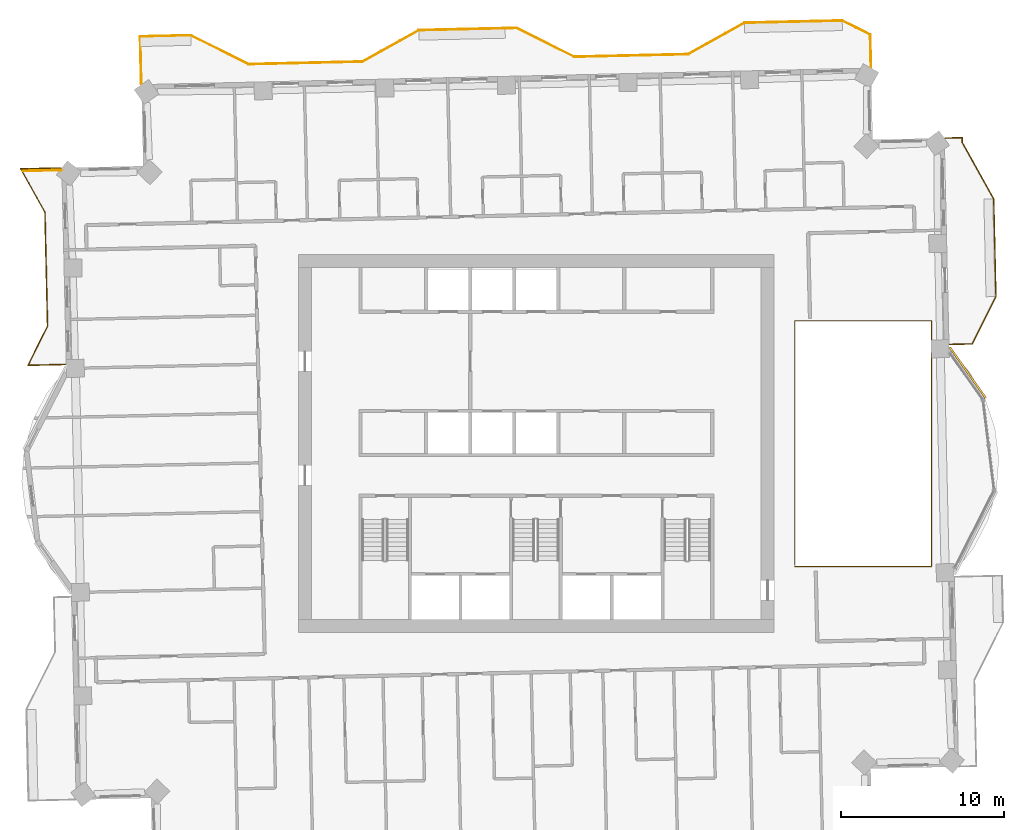
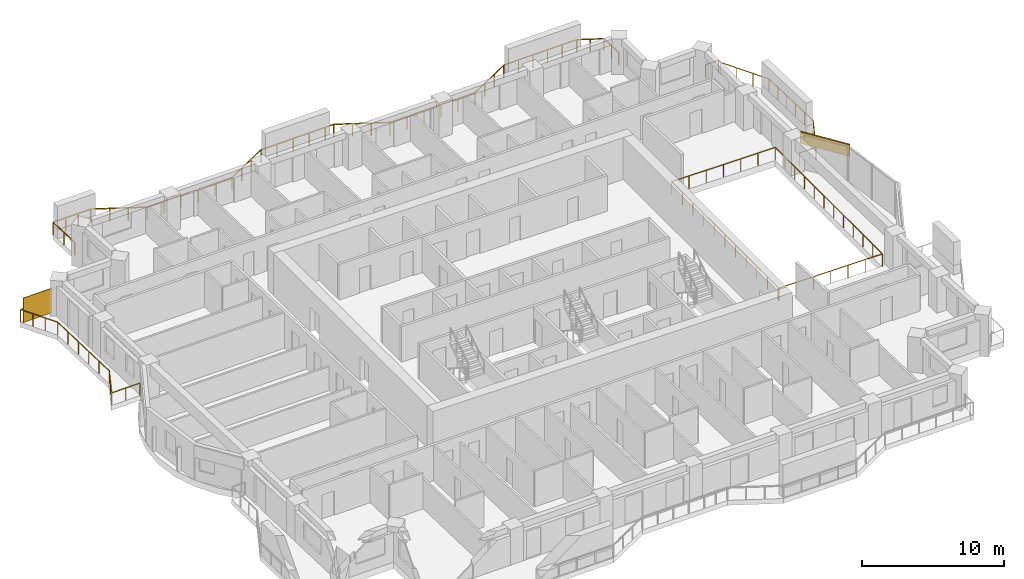
# One storey, part 16 of 16: 4 railings, 1 covering, 1 shading device.
"""IFC4 building model written with IfcOpenShell, lengths in metres."""

from ifc_helpers import new_model, si_unit, direction, frame, frame_2d, origin, origin_2d, place, context, subcontext, project, spatial, rectangle, extrude, material, layer, layer_set, type_object, element, save


model = new_model("IFC4")

# Units and contexts
model_context = context("Model", 3, precision=1e-05, world=origin(), true_north=direction((0.0, 1.0)))
body_context = subcontext(model_context, "Body", "Model", "MODEL_VIEW")
ifc_project = project(units=[si_unit("LENGTHUNIT", "METRE"), si_unit("AREAUNIT", "SQUARE_METRE"), si_unit("VOLUMEUNIT", "CUBIC_METRE"), si_unit("PLANEANGLEUNIT", "RADIAN"), si_unit("MASSUNIT", "GRAM", prefix="KILO")], contexts=[model_context])

# Site, building, storey
site_placement = place(None, origin())
site = spatial("IfcSite", under=ifc_project, at=site_placement, CompositionType="ELEMENT")
building_placement = place(site_placement, origin())
building = spatial("IfcBuilding", under=site, at=building_placement, Name="Mangrove Gate Tower", CompositionType="ELEMENT")
storey_placement = place(building_placement, frame((0.0, 0.0, 231.10009765625)))
storey = spatial("IfcBuildingStorey", under=building, at=storey_placement, Name="L58", CompositionType="ELEMENT", Elevation=231.10009765625)

# Railings
ifc_material_1 = material(Name="Stainless steel grade 316 with laminated glass infill", Category="steel")
railing_type = type_object("IfcRailingType", Name="Balcony guard 1100", PredefinedType="GUARDRAIL", material=ifc_material_1)
railing_1_placement = place(storey_placement, frame((25.375, 6.089111328125, 0.0)))
element("IfcRailing", 1, at=railing_1_placement, inside=storey, type_object=railing_type, Name="GUARD L58 E2", PredefinedType="GUARDRAIL", context=body_context, shape_type="SweptSolid", body=[
    extrude(rectangle(XDim=0.048095703125, YDim=0.048095703125, at=origin_2d()), frame((0.0, 0.0, 1.076171875), z_axis=(0.999735822648, 0.022984449415, 0.0), x_axis=(-0.022984449415, 0.999735822648, 0.0)), (0.0, 0.0, 1.0), 1.3916015625),
    extrude(rectangle(XDim=0.048095703125, YDim=0.048095703125, at=origin_2d()), frame((1.39111328125, 0.031982421875, 1.076171875), z_axis=(0.446943201093, 0.894562337122, 0.0), x_axis=(-0.894562337122, 0.446943201093, 0.0)), (0.0, 0.0, 1.0), 3.250732421875),
    extrude(rectangle(XDim=0.048095703125, YDim=0.048095703125, at=origin_2d()), frame((2.843994140625, 2.93994140625, 1.076171875), z_axis=(-0.022662255828, 0.999743178102, 0.0), x_axis=(-0.999743178102, -0.022662255828, 0.0)), (0.0, 0.0, 1.0), 6.00048828125),
    extrude(rectangle(XDim=0.048095703125, YDim=0.048095703125, at=origin_2d()), frame((2.7080078125, 8.93896484375, 1.076171875), z_axis=(-0.48726008209, 0.87325689943, 0.0), x_axis=(-0.87325689943, -0.48726008209, 0.0)), (0.0, 0.0, 1.0), 3.958740234375),
    extrude(rectangle(XDim=0.048095703125, YDim=0.048095703125, at=origin_2d()), frame((0.779052734375, 12.39599609375, 1.076171875), z_axis=(-0.020354088642, 0.999792834079, 0.0), x_axis=(-0.999792834079, -0.020354088642, 0.0)), (0.0, 0.0, 1.0), 0.2998046875),
    extrude(rectangle(XDim=0.048095703125, YDim=0.048095703125, at=origin_2d()), frame((0.77294921875, 12.69580078125, 1.076171875), z_axis=(-0.999745389313, -0.022564497502, 0.0), x_axis=(0.022564497502, -0.999745389313, 0.0)), (0.0, 0.0, 1.0), 1.060302734375),
    extrude(rectangle(XDim=0.0419921875, YDim=0.0419921875, at=origin_2d()), origin(), (0.0, 0.0, 1.0), 1.052001953125),
    extrude(rectangle(XDim=0.0419921875, YDim=0.0419921875, at=origin_2d()), frame((1.39111328125, 0.031982421875, 0.0)), (0.0, 0.0, 1.0), 1.052001953125),
    extrude(rectangle(XDim=0.0419921875, YDim=0.0419921875, at=origin_2d()), frame((1.87548828125, 1.001220703125, 0.0)), (0.0, 0.0, 1.0), 1.052001953125),
    extrude(rectangle(XDim=0.0419921875, YDim=0.0419921875, at=origin_2d()), frame((2.359619140625, 1.970703125, 0.0)), (0.0, 0.0, 1.0), 1.052001953125),
    extrude(rectangle(XDim=0.0419921875, YDim=0.0419921875, at=origin_2d()), frame((2.843994140625, 2.93994140625, 0.0)), (0.0, 0.0, 1.0), 1.052001953125),
    extrude(rectangle(XDim=0.0419921875, YDim=0.0419921875, at=origin_2d()), frame((2.81689453125, 4.1396484375, 0.0)), (0.0, 0.0, 1.0), 1.052001953125),
    extrude(rectangle(XDim=0.0419921875, YDim=0.0419921875, at=origin_2d()), frame((2.78955078125, 5.339599609375, 0.0)), (0.0, 0.0, 1.0), 1.052001953125),
    extrude(rectangle(XDim=0.0419921875, YDim=0.0419921875, at=origin_2d()), frame((2.762451171875, 6.539306640625, 0.0)), (0.0, 0.0, 1.0), 1.052001953125),
    extrude(rectangle(XDim=0.0419921875, YDim=0.0419921875, at=origin_2d()), frame((2.735107421875, 7.7392578125, 0.0)), (0.0, 0.0, 1.0), 1.052001953125),
    extrude(rectangle(XDim=0.0419921875, YDim=0.0419921875, at=origin_2d()), frame((2.7080078125, 8.93896484375, 0.0)), (0.0, 0.0, 1.0), 1.052001953125),
    extrude(rectangle(XDim=0.0419921875, YDim=0.0419921875, at=origin_2d()), frame((2.06494140625, 10.09130859375, 0.0)), (0.0, 0.0, 1.0), 1.052001953125),
    extrude(rectangle(XDim=0.0419921875, YDim=0.0419921875, at=origin_2d()), frame((1.422119140625, 11.24365234375, 0.0)), (0.0, 0.0, 1.0), 1.052001953125),
    extrude(rectangle(XDim=0.0419921875, YDim=0.0419921875, at=origin_2d()), frame((0.779052734375, 12.39599609375, 0.0)), (0.0, 0.0, 1.0), 1.052001953125),
    extrude(rectangle(XDim=0.0419921875, YDim=0.0419921875, at=origin_2d()), frame((0.77294921875, 12.69580078125, 0.0)), (0.0, 0.0, 1.0), 1.052001953125),
    extrude(rectangle(XDim=0.0419921875, YDim=0.0419921875, at=origin_2d()), frame((-0.287109375, 12.671875, 0.0)), (0.0, 0.0, 1.0), 1.052001953125),
])
railing_2_placement = place(storey_placement, frame((20.548095703125, 23.09912109375, 0.0)))
element("IfcRailing", 2, at=railing_2_placement, inside=storey, type_object=railing_type, Name="GUARD L58 N1", PredefinedType="GUARDRAIL", context=body_context, shape_type="SweptSolid", body=[
    extrude(rectangle(XDim=0.048095703125, YDim=0.048095703125, at=origin_2d()), frame((0.0, 0.0, 1.076171875), z_axis=(-0.022478519123, 0.999747326167, 0.0), x_axis=(-0.999747326167, -0.022478519123, 0.0)), (0.0, 0.0, 1.0), 2.00927734375),
    extrude(rectangle(XDim=0.048095703125, YDim=0.048095703125, at=origin_2d()), frame((-0.045166015625, 2.0087890625, 1.076171875), z_axis=(-0.89460449585, 0.446858809922, 0.0), x_axis=(-0.446858809922, -0.89460449585, 0.0)), (0.0, 0.0, 1.0), 1.927001953125),
    extrude(rectangle(XDim=0.048095703125, YDim=0.048095703125, at=origin_2d()), frame((-1.76904296875, 2.869873046875, 1.076171875), z_axis=(-0.999743178102, -0.022662255828, 0.0), x_axis=(0.022662255828, -0.999743178102, 0.0)), (0.0, 0.0, 1.0), 6.00048828125),
    extrude(rectangle(XDim=0.048095703125, YDim=0.048095703125, at=origin_2d()), frame((-7.76806640625, 2.73388671875, 1.076171875), z_axis=(-0.87325689943, -0.48726008209, 0.0), x_axis=(0.48726008209, -0.87325689943, 0.0)), (0.0, 0.0, 1.0), 3.958740234375),
    extrude(rectangle(XDim=0.048095703125, YDim=0.048095703125, at=origin_2d()), frame((-11.22509765625, 0.804931640625, 1.076171875), z_axis=(-0.999745352708, -0.022566119286, 0.0), x_axis=(0.022566119286, -0.999745352708, 0.0)), (0.0, 0.0, 1.0), 6.999755859375),
    extrude(rectangle(XDim=0.048095703125, YDim=0.048095703125, at=origin_2d()), frame((-18.22314453125, 0.64697265625, 1.076171875), z_axis=(-0.894476522376, 0.447114919141, 0.0), x_axis=(-0.447114919141, -0.894476522376, 0.0)), (0.0, 0.0, 1.0), 3.958740234375),
    extrude(rectangle(XDim=0.048095703125, YDim=0.048095703125, at=origin_2d()), frame((-21.76416015625, 2.4169921875, 1.076171875), z_axis=(-0.999735131741, -0.023014481582, 0.0), x_axis=(0.023014481582, -0.999735131741, 0.0)), (0.0, 0.0, 1.0), 0.7001953125),
    extrude(rectangle(XDim=0.048095703125, YDim=0.048095703125, at=origin_2d()), frame((-22.464111328125, 2.40087890625, 1.076171875), z_axis=(-0.999743189186, -0.022661766832, 0.0), x_axis=(0.022661766832, -0.999743189186, 0.0)), (0.0, 0.0, 1.0), 5.300537109375),
    extrude(rectangle(XDim=0.048095703125, YDim=0.048095703125, at=origin_2d()), frame((-27.76318359375, 2.28076171875, 1.076171875), z_axis=(-0.87325689943, -0.48726008209, 0.0), x_axis=(0.48726008209, -0.87325689943, 0.0)), (0.0, 0.0, 1.0), 3.958740234375),
    extrude(rectangle(XDim=0.048095703125, YDim=0.048095703125, at=origin_2d()), frame((-31.22021484375, 0.351806640625, 1.076171875), z_axis=(-0.999742177561, -0.022706351659, 0.0), x_axis=(0.022706351659, -0.999742177561, 0.0)), (0.0, 0.0, 1.0), 6.99951171875),
    extrude(rectangle(XDim=0.048095703125, YDim=0.048095703125, at=origin_2d()), frame((-38.218017578125, 0.19287109375, 1.076171875), z_axis=(-0.894476522376, 0.447114919141, 0.0), x_axis=(-0.447114919141, -0.894476522376, 0.0)), (0.0, 0.0, 1.0), 3.958740234375),
    extrude(rectangle(XDim=0.048095703125, YDim=0.048095703125, at=origin_2d()), frame((-41.759033203125, 1.962890625, 1.076171875), z_axis=(-0.999745154684, -0.02257489059, 0.0), x_axis=(0.02257489059, -0.999745154684, 0.0)), (0.0, 0.0, 1.0), 3.103759765625),
    extrude(rectangle(XDim=0.048095703125, YDim=0.048095703125, at=origin_2d()), frame((-44.862060546875, 1.892822265625, 1.076171875), z_axis=(0.022647097142, -0.999743521605, 0.0), x_axis=(0.999743521605, 0.022647097142, 0.0)), (0.0, 0.0, 1.0), 2.91064453125),
    extrude(rectangle(XDim=0.0419921875, YDim=0.0419921875, at=origin_2d()), origin(), (0.0, 0.0, 1.0), 1.052001953125),
    extrude(rectangle(XDim=0.0419921875, YDim=0.0419921875, at=origin_2d()), frame((-0.0224609375, 1.00439453125, 0.0)), (0.0, 0.0, 1.0), 1.052001953125),
    extrude(rectangle(XDim=0.0419921875, YDim=0.0419921875, at=origin_2d()), frame((-0.045166015625, 2.0087890625, 0.0)), (0.0, 0.0, 1.0), 1.052001953125),
    extrude(rectangle(XDim=0.0419921875, YDim=0.0419921875, at=origin_2d()), frame((-0.9072265625, 2.439453125, 0.0)), (0.0, 0.0, 1.0), 1.052001953125),
    extrude(rectangle(XDim=0.0419921875, YDim=0.0419921875, at=origin_2d()), frame((-1.76904296875, 2.869873046875, 0.0)), (0.0, 0.0, 1.0), 1.052001953125),
    extrude(rectangle(XDim=0.0419921875, YDim=0.0419921875, at=origin_2d()), frame((-2.96875, 2.8427734375, 0.0)), (0.0, 0.0, 1.0), 1.052001953125),
    extrude(rectangle(XDim=0.0419921875, YDim=0.0419921875, at=origin_2d()), frame((-4.168701171875, 2.8154296875, 0.0)), (0.0, 0.0, 1.0), 1.052001953125),
    extrude(rectangle(XDim=0.0419921875, YDim=0.0419921875, at=origin_2d()), frame((-5.368408203125, 2.788330078125, 0.0)), (0.0, 0.0, 1.0), 1.052001953125),
    extrude(rectangle(XDim=0.0419921875, YDim=0.0419921875, at=origin_2d()), frame((-6.568359375, 2.760986328125, 0.0)), (0.0, 0.0, 1.0), 1.052001953125),
    extrude(rectangle(XDim=0.0419921875, YDim=0.0419921875, at=origin_2d()), frame((-7.76806640625, 2.73388671875, 0.0)), (0.0, 0.0, 1.0), 1.052001953125),
    extrude(rectangle(XDim=0.0419921875, YDim=0.0419921875, at=origin_2d()), frame((-8.92041015625, 2.0908203125, 0.0)), (0.0, 0.0, 1.0), 1.052001953125),
    extrude(rectangle(XDim=0.0419921875, YDim=0.0419921875, at=origin_2d()), frame((-10.07275390625, 1.447998046875, 0.0)), (0.0, 0.0, 1.0), 1.052001953125),
    extrude(rectangle(XDim=0.0419921875, YDim=0.0419921875, at=origin_2d()), frame((-11.22509765625, 0.804931640625, 0.0)), (0.0, 0.0, 1.0), 1.052001953125),
    extrude(rectangle(XDim=0.0419921875, YDim=0.0419921875, at=origin_2d()), frame((-12.624755859375, 0.7734375, 0.0)), (0.0, 0.0, 1.0), 1.052001953125),
    extrude(rectangle(XDim=0.0419921875, YDim=0.0419921875, at=origin_2d()), frame((-14.0244140625, 0.74169921875, 0.0)), (0.0, 0.0, 1.0), 1.052001953125),
    extrude(rectangle(XDim=0.0419921875, YDim=0.0419921875, at=origin_2d()), frame((-15.423828125, 0.710205078125, 0.0)), (0.0, 0.0, 1.0), 1.052001953125),
    extrude(rectangle(XDim=0.0419921875, YDim=0.0419921875, at=origin_2d()), frame((-16.823486328125, 0.678466796875, 0.0)), (0.0, 0.0, 1.0), 1.052001953125),
    extrude(rectangle(XDim=0.0419921875, YDim=0.0419921875, at=origin_2d()), frame((-18.22314453125, 0.64697265625, 0.0)), (0.0, 0.0, 1.0), 1.052001953125),
    extrude(rectangle(XDim=0.0419921875, YDim=0.0419921875, at=origin_2d()), frame((-19.403564453125, 1.237060546875, 0.0)), (0.0, 0.0, 1.0), 1.052001953125),
    extrude(rectangle(XDim=0.0419921875, YDim=0.0419921875, at=origin_2d()), frame((-20.583740234375, 1.826904296875, 0.0)), (0.0, 0.0, 1.0), 1.052001953125),
    extrude(rectangle(XDim=0.0419921875, YDim=0.0419921875, at=origin_2d()), frame((-21.76416015625, 2.4169921875, 0.0)), (0.0, 0.0, 1.0), 1.052001953125),
    extrude(rectangle(XDim=0.0419921875, YDim=0.0419921875, at=origin_2d()), frame((-22.464111328125, 2.40087890625, 0.0)), (0.0, 0.0, 1.0), 1.052001953125),
    extrude(rectangle(XDim=0.0419921875, YDim=0.0419921875, at=origin_2d()), frame((-23.788818359375, 2.370849609375, 0.0)), (0.0, 0.0, 1.0), 1.052001953125),
    extrude(rectangle(XDim=0.0419921875, YDim=0.0419921875, at=origin_2d()), frame((-25.11376953125, 2.3408203125, 0.0)), (0.0, 0.0, 1.0), 1.052001953125),
    extrude(rectangle(XDim=0.0419921875, YDim=0.0419921875, at=origin_2d()), frame((-26.4384765625, 2.310791015625, 0.0)), (0.0, 0.0, 1.0), 1.052001953125),
    extrude(rectangle(XDim=0.0419921875, YDim=0.0419921875, at=origin_2d()), frame((-27.76318359375, 2.28076171875, 0.0)), (0.0, 0.0, 1.0), 1.052001953125),
    extrude(rectangle(XDim=0.0419921875, YDim=0.0419921875, at=origin_2d()), frame((-28.91552734375, 1.6376953125, 0.0)), (0.0, 0.0, 1.0), 1.052001953125),
    extrude(rectangle(XDim=0.0419921875, YDim=0.0419921875, at=origin_2d()), frame((-30.06787109375, 0.994873046875, 0.0)), (0.0, 0.0, 1.0), 1.052001953125),
    extrude(rectangle(XDim=0.0419921875, YDim=0.0419921875, at=origin_2d()), frame((-31.22021484375, 0.351806640625, 0.0)), (0.0, 0.0, 1.0), 1.052001953125),
    extrude(rectangle(XDim=0.0419921875, YDim=0.0419921875, at=origin_2d()), frame((-32.619873046875, 0.320068359375, 0.0)), (0.0, 0.0, 1.0), 1.052001953125),
    extrude(rectangle(XDim=0.0419921875, YDim=0.0419921875, at=origin_2d()), frame((-34.019287109375, 0.288330078125, 0.0)), (0.0, 0.0, 1.0), 1.052001953125),
    extrude(rectangle(XDim=0.0419921875, YDim=0.0419921875, at=origin_2d()), frame((-35.4189453125, 0.25634765625, 0.0)), (0.0, 0.0, 1.0), 1.052001953125),
    extrude(rectangle(XDim=0.0419921875, YDim=0.0419921875, at=origin_2d()), frame((-36.818359375, 0.224609375, 0.0)), (0.0, 0.0, 1.0), 1.052001953125),
    extrude(rectangle(XDim=0.0419921875, YDim=0.0419921875, at=origin_2d()), frame((-38.218017578125, 0.19287109375, 0.0)), (0.0, 0.0, 1.0), 1.052001953125),
    extrude(rectangle(XDim=0.0419921875, YDim=0.0419921875, at=origin_2d()), frame((-39.3984375, 0.782958984375, 0.0)), (0.0, 0.0, 1.0), 1.052001953125),
    extrude(rectangle(XDim=0.0419921875, YDim=0.0419921875, at=origin_2d()), frame((-40.57861328125, 1.372802734375, 0.0)), (0.0, 0.0, 1.0), 1.052001953125),
    extrude(rectangle(XDim=0.0419921875, YDim=0.0419921875, at=origin_2d()), frame((-41.759033203125, 1.962890625, 0.0)), (0.0, 0.0, 1.0), 1.052001953125),
    extrude(rectangle(XDim=0.0419921875, YDim=0.0419921875, at=origin_2d()), frame((-42.79345703125, 1.939453125, 0.0)), (0.0, 0.0, 1.0), 1.052001953125),
    extrude(rectangle(XDim=0.0419921875, YDim=0.0419921875, at=origin_2d()), frame((-43.82763671875, 1.916259765625, 0.0)), (0.0, 0.0, 1.0), 1.052001953125),
    extrude(rectangle(XDim=0.0419921875, YDim=0.0419921875, at=origin_2d()), frame((-44.862060546875, 1.892822265625, 0.0)), (0.0, 0.0, 1.0), 1.052001953125),
    extrude(rectangle(XDim=0.0419921875, YDim=0.0419921875, at=origin_2d()), frame((-44.8291015625, 0.43798828125, 0.0)), (0.0, 0.0, 1.0), 1.052001953125),
    extrude(rectangle(XDim=0.0419921875, YDim=0.0419921875, at=origin_2d()), frame((-44.796142578125, -1.01708984375, 0.0)), (0.0, 0.0, 1.0), 1.052001953125),
])
railing_3_placement = place(storey_placement, frame((-29.173095703125, 16.928955078125, 0.0)))
element("IfcRailing", 3, at=railing_3_placement, inside=storey, type_object=railing_type, Name="GUARD L58 W1", PredefinedType="GUARDRAIL", context=body_context, shape_type="SweptSolid", body=[
    extrude(rectangle(XDim=0.048095703125, YDim=0.048095703125, at=origin_2d()), frame((0.0, 0.0, 1.076171875), z_axis=(-0.999747180794, -0.022484983736, 0.0), x_axis=(0.022484983736, -0.999747180794, 0.0)), (0.0, 0.0, 1.0), 2.486572265625),
    extrude(rectangle(XDim=0.048095703125, YDim=0.048095703125, at=origin_2d()), frame((-2.48583984375, -0.055908203125, 1.076171875), z_axis=(0.487237161346, -0.873269688357, 0.0), x_axis=(0.873269688357, 0.487237161346, 0.0)), (0.0, 0.0, 1.0), 3.053955078125),
    extrude(rectangle(XDim=0.048095703125, YDim=0.048095703125, at=origin_2d()), frame((-0.997802734375, -2.722900390625, 1.076171875), z_axis=(0.022705559911, -0.999742195543, 0.0), x_axis=(0.999742195543, 0.022705559911, 0.0)), (0.0, 0.0, 1.0), 6.999755859375),
    extrude(rectangle(XDim=0.048095703125, YDim=0.048095703125, at=origin_2d()), frame((-0.8388671875, -9.720947265625, 1.076171875), z_axis=(-0.447031829068, -0.894518051132, 0.0), x_axis=(0.894518051132, -0.447031829068, 0.0)), (0.0, 0.0, 1.0), 2.6865234375),
    extrude(rectangle(XDim=0.048095703125, YDim=0.048095703125, at=origin_2d()), frame((-2.039794921875, -12.1240234375, 1.076171875), z_axis=(0.999738009607, 0.022889127251, 0.0), x_axis=(-0.022889127251, 0.999738009607, 0.0)), (0.0, 0.0, 1.0), 2.314453125),
    extrude(rectangle(XDim=0.0419921875, YDim=0.0419921875, at=origin_2d()), origin(), (0.0, 0.0, 1.0), 1.052001953125),
    extrude(rectangle(XDim=0.0419921875, YDim=0.0419921875, at=origin_2d()), frame((-1.242919921875, -0.02783203125, 0.0)), (0.0, 0.0, 1.0), 1.052001953125),
    extrude(rectangle(XDim=0.0419921875, YDim=0.0419921875, at=origin_2d()), frame((-2.48583984375, -0.055908203125, 0.0)), (0.0, 0.0, 1.0), 1.052001953125),
    extrude(rectangle(XDim=0.0419921875, YDim=0.0419921875, at=origin_2d()), frame((-1.98974609375, -0.94482421875, 0.0)), (0.0, 0.0, 1.0), 1.052001953125),
    extrude(rectangle(XDim=0.0419921875, YDim=0.0419921875, at=origin_2d()), frame((-1.493896484375, -1.833984375, 0.0)), (0.0, 0.0, 1.0), 1.052001953125),
    extrude(rectangle(XDim=0.0419921875, YDim=0.0419921875, at=origin_2d()), frame((-0.997802734375, -2.722900390625, 0.0)), (0.0, 0.0, 1.0), 1.052001953125),
    extrude(rectangle(XDim=0.0419921875, YDim=0.0419921875, at=origin_2d()), frame((-0.966064453125, -4.12255859375, 0.0)), (0.0, 0.0, 1.0), 1.052001953125),
    extrude(rectangle(XDim=0.0419921875, YDim=0.0419921875, at=origin_2d()), frame((-0.934326171875, -5.522216796875, 0.0)), (0.0, 0.0, 1.0), 1.052001953125),
    extrude(rectangle(XDim=0.0419921875, YDim=0.0419921875, at=origin_2d()), frame((-0.90234375, -6.921630859375, 0.0)), (0.0, 0.0, 1.0), 1.052001953125),
    extrude(rectangle(XDim=0.0419921875, YDim=0.0419921875, at=origin_2d()), frame((-0.87060546875, -8.3212890625, 0.0)), (0.0, 0.0, 1.0), 1.052001953125),
    extrude(rectangle(XDim=0.0419921875, YDim=0.0419921875, at=origin_2d()), frame((-0.8388671875, -9.720947265625, 0.0)), (0.0, 0.0, 1.0), 1.052001953125),
    extrude(rectangle(XDim=0.0419921875, YDim=0.0419921875, at=origin_2d()), frame((-1.439453125, -10.92236328125, 0.0)), (0.0, 0.0, 1.0), 1.052001953125),
    extrude(rectangle(XDim=0.0419921875, YDim=0.0419921875, at=origin_2d()), frame((-2.039794921875, -12.1240234375, 0.0)), (0.0, 0.0, 1.0), 1.052001953125),
    extrude(rectangle(XDim=0.0419921875, YDim=0.0419921875, at=origin_2d()), frame((-0.8828125, -12.09765625, 0.0)), (0.0, 0.0, 1.0), 1.052001953125),
    extrude(rectangle(XDim=0.0419921875, YDim=0.0419921875, at=origin_2d()), frame((0.274169921875, -12.071044921875, 0.0)), (0.0, 0.0, 1.0), 1.052001953125),
])
railing_4_placement = place(storey_placement, frame((15.860107421875, -7.5400390625, 0.0)))
element("IfcRailing", 4, at=railing_4_placement, inside=storey, type_object=railing_type, Name="GUARD L58 atrium", PredefinedType="GUARDRAIL", context=body_context, shape_type="SweptSolid", body=[
    extrude(rectangle(XDim=0.048095703125, YDim=0.048095703125, at=origin_2d()), frame((0.0, 0.0, 1.076171875), z_axis=(1.0, 0.0, 0.0), x_axis=(0.0, 1.0, 0.0)), (0.0, 0.0, 1.0), 8.406982421875),
    extrude(rectangle(XDim=0.048095703125, YDim=0.048095703125, at=origin_2d()), frame((8.406982421875, 0.0, 1.076171875), z_axis=(0.0, 1.0, 0.0), x_axis=(-1.0, 0.0, 0.0)), (0.0, 0.0, 1.0), 15.080078125),
    extrude(rectangle(XDim=0.048095703125, YDim=0.048095703125, at=origin_2d()), frame((8.406982421875, 15.080078125, 1.076171875), z_axis=(-1.0, 0.0, 0.0), x_axis=(0.0, -1.0, 0.0)), (0.0, 0.0, 1.0), 8.406982421875),
    extrude(rectangle(XDim=0.048095703125, YDim=0.048095703125, at=origin_2d()), frame((0.0, 15.080078125, 1.076171875), z_axis=(0.0, -1.0, 0.0), x_axis=(1.0, 0.0, 0.0)), (0.0, 0.0, 1.0), 14.9599609375),
    extrude(rectangle(XDim=0.0419921875, YDim=0.0419921875, at=origin_2d()), origin(), (0.0, 0.0, 1.0), 1.052001953125),
    extrude(rectangle(XDim=0.0419921875, YDim=0.0419921875, at=origin_2d()), frame((1.401123046875, 0.0, 0.0)), (0.0, 0.0, 1.0), 1.052001953125),
    extrude(rectangle(XDim=0.0419921875, YDim=0.0419921875, at=origin_2d()), frame((2.80224609375, 0.0, 0.0)), (0.0, 0.0, 1.0), 1.052001953125),
    extrude(rectangle(XDim=0.0419921875, YDim=0.0419921875, at=origin_2d()), frame((4.20361328125, 0.0, 0.0)), (0.0, 0.0, 1.0), 1.052001953125),
    extrude(rectangle(XDim=0.0419921875, YDim=0.0419921875, at=origin_2d()), frame((5.604736328125, 0.0, 0.0)), (0.0, 0.0, 1.0), 1.052001953125),
    extrude(rectangle(XDim=0.0419921875, YDim=0.0419921875, at=origin_2d()), frame((7.005859375, 0.0, 0.0)), (0.0, 0.0, 1.0), 1.052001953125),
    extrude(rectangle(XDim=0.0419921875, YDim=0.0419921875, at=origin_2d()), frame((8.406982421875, 0.0, 0.0)), (0.0, 0.0, 1.0), 1.052001953125),
    extrude(rectangle(XDim=0.0419921875, YDim=0.0419921875, at=origin_2d()), frame((8.406982421875, 1.370849609375, 0.0)), (0.0, 0.0, 1.0), 1.052001953125),
    extrude(rectangle(XDim=0.0419921875, YDim=0.0419921875, at=origin_2d()), frame((8.406982421875, 2.741943359375, 0.0)), (0.0, 0.0, 1.0), 1.052001953125),
    extrude(rectangle(XDim=0.0419921875, YDim=0.0419921875, at=origin_2d()), frame((8.406982421875, 4.11279296875, 0.0)), (0.0, 0.0, 1.0), 1.052001953125),
    extrude(rectangle(XDim=0.0419921875, YDim=0.0419921875, at=origin_2d()), frame((8.406982421875, 5.483642578125, 0.0)), (0.0, 0.0, 1.0), 1.052001953125),
    extrude(rectangle(XDim=0.0419921875, YDim=0.0419921875, at=origin_2d()), frame((8.406982421875, 6.8544921875, 0.0)), (0.0, 0.0, 1.0), 1.052001953125),
    extrude(rectangle(XDim=0.0419921875, YDim=0.0419921875, at=origin_2d()), frame((8.406982421875, 8.2255859375, 0.0)), (0.0, 0.0, 1.0), 1.052001953125),
    extrude(rectangle(XDim=0.0419921875, YDim=0.0419921875, at=origin_2d()), frame((8.406982421875, 9.596435546875, 0.0)), (0.0, 0.0, 1.0), 1.052001953125),
    extrude(rectangle(XDim=0.0419921875, YDim=0.0419921875, at=origin_2d()), frame((8.406982421875, 10.96728515625, 0.0)), (0.0, 0.0, 1.0), 1.052001953125),
    extrude(rectangle(XDim=0.0419921875, YDim=0.0419921875, at=origin_2d()), frame((8.406982421875, 12.338134765625, 0.0)), (0.0, 0.0, 1.0), 1.052001953125),
    extrude(rectangle(XDim=0.0419921875, YDim=0.0419921875, at=origin_2d()), frame((8.406982421875, 13.709228515625, 0.0)), (0.0, 0.0, 1.0), 1.052001953125),
    extrude(rectangle(XDim=0.0419921875, YDim=0.0419921875, at=origin_2d()), frame((8.406982421875, 15.080078125, 0.0)), (0.0, 0.0, 1.0), 1.052001953125),
    extrude(rectangle(XDim=0.0419921875, YDim=0.0419921875, at=origin_2d()), frame((7.005859375, 15.080078125, 0.0)), (0.0, 0.0, 1.0), 1.052001953125),
    extrude(rectangle(XDim=0.0419921875, YDim=0.0419921875, at=origin_2d()), frame((5.604736328125, 15.080078125, 0.0)), (0.0, 0.0, 1.0), 1.052001953125),
    extrude(rectangle(XDim=0.0419921875, YDim=0.0419921875, at=origin_2d()), frame((4.20361328125, 15.080078125, 0.0)), (0.0, 0.0, 1.0), 1.052001953125),
    extrude(rectangle(XDim=0.0419921875, YDim=0.0419921875, at=origin_2d()), frame((2.80224609375, 15.080078125, 0.0)), (0.0, 0.0, 1.0), 1.052001953125),
    extrude(rectangle(XDim=0.0419921875, YDim=0.0419921875, at=origin_2d()), frame((1.401123046875, 15.080078125, 0.0)), (0.0, 0.0, 1.0), 1.052001953125),
    extrude(rectangle(XDim=0.0419921875, YDim=0.0419921875, at=origin_2d()), frame((0.0, 15.080078125, 0.0)), (0.0, 0.0, 1.0), 1.052001953125),
    extrude(rectangle(XDim=0.0419921875, YDim=0.0419921875, at=origin_2d()), frame((0.0, 13.583984375, 0.0)), (0.0, 0.0, 1.0), 1.052001953125),
    extrude(rectangle(XDim=0.0419921875, YDim=0.0419921875, at=origin_2d()), frame((0.0, 12.088134765625, 0.0)), (0.0, 0.0, 1.0), 1.052001953125),
    extrude(rectangle(XDim=0.0419921875, YDim=0.0419921875, at=origin_2d()), frame((0.0, 10.592041015625, 0.0)), (0.0, 0.0, 1.0), 1.052001953125),
    extrude(rectangle(XDim=0.0419921875, YDim=0.0419921875, at=origin_2d()), frame((0.0, 9.09619140625, 0.0)), (0.0, 0.0, 1.0), 1.052001953125),
    extrude(rectangle(XDim=0.0419921875, YDim=0.0419921875, at=origin_2d()), frame((0.0, 7.60009765625, 0.0)), (0.0, 0.0, 1.0), 1.052001953125),
    extrude(rectangle(XDim=0.0419921875, YDim=0.0419921875, at=origin_2d()), frame((0.0, 6.10400390625, 0.0)), (0.0, 0.0, 1.0), 1.052001953125),
    extrude(rectangle(XDim=0.0419921875, YDim=0.0419921875, at=origin_2d()), frame((0.0, 4.608154296875, 0.0)), (0.0, 0.0, 1.0), 1.052001953125),
    extrude(rectangle(XDim=0.0419921875, YDim=0.0419921875, at=origin_2d()), frame((0.0, 3.112060546875, 0.0)), (0.0, 0.0, 1.0), 1.052001953125),
    extrude(rectangle(XDim=0.0419921875, YDim=0.0419921875, at=origin_2d()), frame((0.0, 1.6162109375, 0.0)), (0.0, 0.0, 1.0), 1.052001953125),
    extrude(rectangle(XDim=0.0419921875, YDim=0.0419921875, at=origin_2d()), frame((0.0, 0.1201171875, 0.0)), (0.0, 0.0, 1.0), 1.052001953125),
])

# Shading device
ifc_material_2 = material(Name="Timber slat screen in teak", Category="wood")
shading_device_type = type_object("IfcShadingDeviceType", Name="Balcony screen 2100", PredefinedType="USERDEFINED", material=ifc_material_2)
shading_device_placement = place(storey_placement, frame((-30.3330078125, 16.762939453125, -0.000244140625), z_axis=(0.0, 0.0, 1.0), x_axis=(-0.999744585359, -0.022600089485, 0.0)))
element("IfcShadingDevice", 5, at=shading_device_placement, inside=storey, type_object=shading_device_type, Name="SCREEN L58 W0", ObjectType="SCREEN", PredefinedType="USERDEFINED", context=body_context, shape_type="SweptSolid", body=[
    extrude(rectangle(XDim=2.366943359375, YDim=0.050048828125, at=origin_2d()), origin(), (0.0, 0.0, 1.0), 2.10009765625),
])

# Covering
ifc_material_3 = material(Name="Limestone", Category="masonry")
ifc_layer_1 = layer(ifc_material_3, 0.0400390625, Name="Limestone cladding")
ifc_material_4 = material(Name="Stainless steel anchors and cavity", Category="steel")
ifc_layer_2 = layer(ifc_material_4, 0.080078125, Name="Fixing cavity")
ifc_layer_set = layer_set([ifc_layer_1, ifc_layer_2], Name="Joint fascia cladding 120")
covering_type = type_object("IfcCoveringType", Name="Joint fascia cladding 120", PredefinedType="CLADDING", material=ifc_layer_set)
covering_placement = place(storey_placement, frame((27.591064453125, 2.802978515625, 2.0498046875), z_axis=(0.0, 0.0, 1.0), x_axis=(-0.578168098379, 0.815917673553, 0.0)))
element("IfcCovering", 6, at=covering_placement, inside=storey, type_object=covering_type, Name="STONE FASCIA L58 E1.L2", PredefinedType="CLADDING", context=body_context, shape_type="SweptSolid", body=[
    extrude(rectangle(XDim=3.819091796875, YDim=0.1201171875, at=frame_2d((1.90966796875, 0.0))), origin(), (0.0, 0.0, 1.0), 1.0),
])

save(model, "model.ifc")
